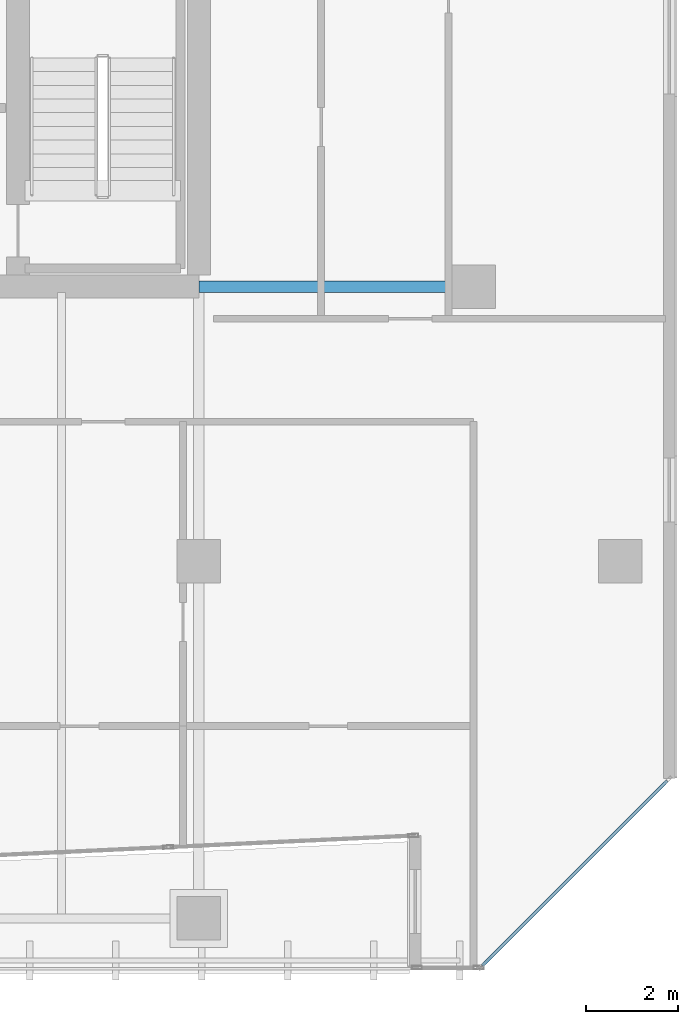
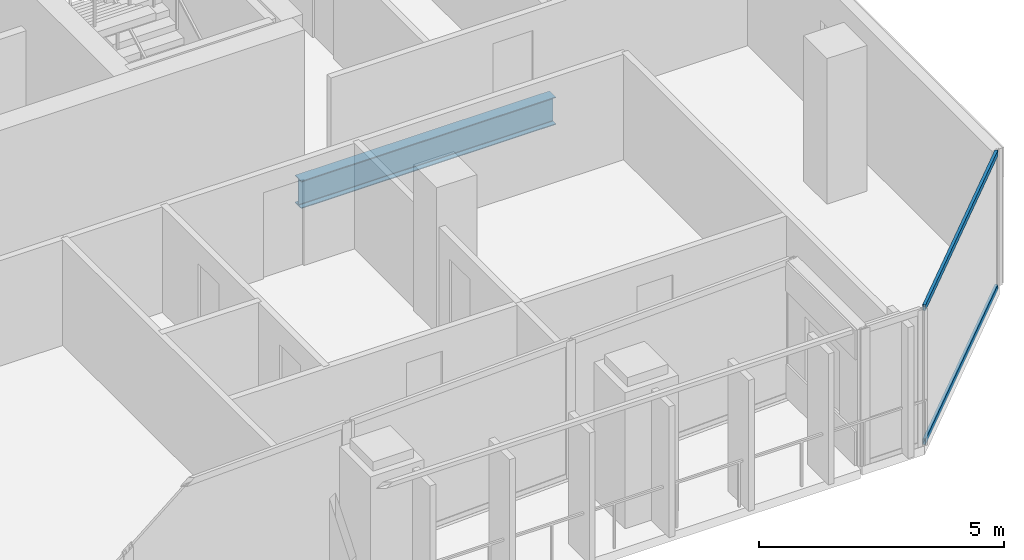
# One storey, part 20 of 39: 2 members, 1 beam, 1 element without a shape of its own.
"""IFC4 building model written with IfcOpenShell, lengths in metres."""

from ifc_helpers import new_model, si_unit, direction, frame, origin, origin_2d, place, context, subcontext, project, spatial, hollow_rectangle, i_section, extrude, material, layer, layer_set, material_profile, profile_set, type_object, element, aggregate, save


model = new_model("IFC4")

# Units and contexts
model_context = context("Model", 3, precision=1e-05, world=origin(), true_north=direction((0.0, 1.0)))
body_context = subcontext(model_context, "Body", "Model", "MODEL_VIEW")
ifc_project = project(units=[si_unit("LENGTHUNIT", "METRE"), si_unit("AREAUNIT", "SQUARE_METRE"), si_unit("VOLUMEUNIT", "CUBIC_METRE"), si_unit("PLANEANGLEUNIT", "RADIAN"), si_unit("MASSUNIT", "GRAM", prefix="KILO")], contexts=[model_context])

# Site, building, storey
site_placement = place(None, origin())
site = spatial("IfcSite", under=ifc_project, at=site_placement, CompositionType="ELEMENT")
building_placement = place(site_placement, origin())
building = spatial("IfcBuilding", under=site, at=building_placement, Name="Tanjung Sevakor Pilgrim Tower", CompositionType="ELEMENT")
storey_placement = place(building_placement, frame((0.0, 0.0, 108.570068359375)))
storey = spatial("IfcBuildingStorey", under=building, at=storey_placement, Name="L30", CompositionType="ELEMENT", Elevation=108.570068359375)

# Beam
ifc_material_1 = material(Name="Steel S355J2", Category="steel")
ifc_material_profile_1 = material_profile(ifc_material_1, i_section(OverallWidth=0.25439453125, OverallDepth=0.6875, WebThickness=0.01318359375, FlangeThickness=0.02099609375, FilletRadius=0.01513671875, at=origin_2d()))
ifc_profile_set_1 = profile_set([ifc_material_profile_1], Name="Steel S355J2")
beam_type = type_object("IfcBeamType", Name="BM-B-G2-UB_686x254x152", PredefinedType="BEAM", material=ifc_profile_set_1)
beam_placement = place(storey_placement, frame((90.0, 24.60009765625, -0.56396484375), z_axis=(1.0, 0.0, 0.0), x_axis=(0.0, 1.0, 0.0)))
element("IfcBeam", 1, at=beam_placement, inside=storey, type_object=beam_type, Name="L30 Primary Floor Girder MAIN Y246-09", PredefinedType="BEAM", context=body_context, shape_type="SweptSolid", body=[
    extrude(i_section(OverallWidth=0.25439453125, OverallDepth=0.6875, WebThickness=0.01318359375, FlangeThickness=0.02099609375, FilletRadius=0.01513671875, at=origin_2d()), origin(), (0.0, 0.0, 1.0), 6.0),
])

# Curtain wall, members
ifc_material_2 = material(Name="Aluminium 6063-T6 and Low-E Glass", Category="aluminium")
ifc_layer = layer(ifc_material_2, 0.179931640625)
ifc_layer_set = layer_set([ifc_layer], Name="CW-SYS-CHAM")
curtain_wall_type = type_object("IfcCurtainWallType", Name="CW-SYS-CHAM", PredefinedType="NOTDEFINED", material=ifc_layer_set)
curtain_wall_placement = place(storey_placement, origin())
curtain_wall = element("IfcCurtainWall", 2, at=curtain_wall_placement, inside=storey, type_object=curtain_wall_type, Name="L30 Curtain Wall CW-CHM-L30-MAIN-15", PredefinedType="NOTDEFINED")
ifc_material_3 = material(Name="Aluminium 6063-T6", Category="aluminium")
ifc_material_profile_2 = material_profile(ifc_material_3, hollow_rectangle(XDim=0.06494140625, YDim=0.139892578125, WallThickness=0.00390625, at=origin_2d()))
ifc_profile_set_2 = profile_set([ifc_material_profile_2], Name="Aluminium 6063-T6")
member_type = type_object("IfcMemberType", Name="TYPE-CWT-1", PredefinedType="USERDEFINED", material=ifc_profile_set_2)
member_1_placement = place(storey_placement, frame((96.194091796875, 9.77099609375, 0.032470703125), z_axis=(0.707106781187, 0.707106781187, 0.0), x_axis=(-0.707106781187, 0.707106781187, 0.0)))
member_1 = element("IfcMember", 3, at=member_1_placement, type_object=member_type, Name="CW-CHM transom 1.1", ObjectType="TRANSOM", PredefinedType="USERDEFINED", context=body_context, shape_type="SweptSolid", body=[
    extrude(hollow_rectangle(XDim=0.06494140625, YDim=0.139892578125, WallThickness=0.00390625, at=origin_2d()), origin(), (0.0, 0.0, 1.0), 5.706298828125),
])
member_2_placement = place(storey_placement, frame((96.194091796875, 9.77099609375, 3.37744140625), z_axis=(0.707106781187, 0.707106781187, 0.0), x_axis=(-0.707106781187, 0.707106781187, 0.0)))
member_2 = element("IfcMember", 4, at=member_2_placement, type_object=member_type, Name="CW-CHM transom 1.2", ObjectType="TRANSOM", PredefinedType="USERDEFINED", context=body_context, shape_type="SweptSolid", body=[
    extrude(hollow_rectangle(XDim=0.06494140625, YDim=0.139892578125, WallThickness=0.00390625, at=origin_2d()), origin(), (0.0, 0.0, 1.0), 5.706298828125),
])
aggregate(curtain_wall, [member_1, member_2])

save(model, "model.ifc")
